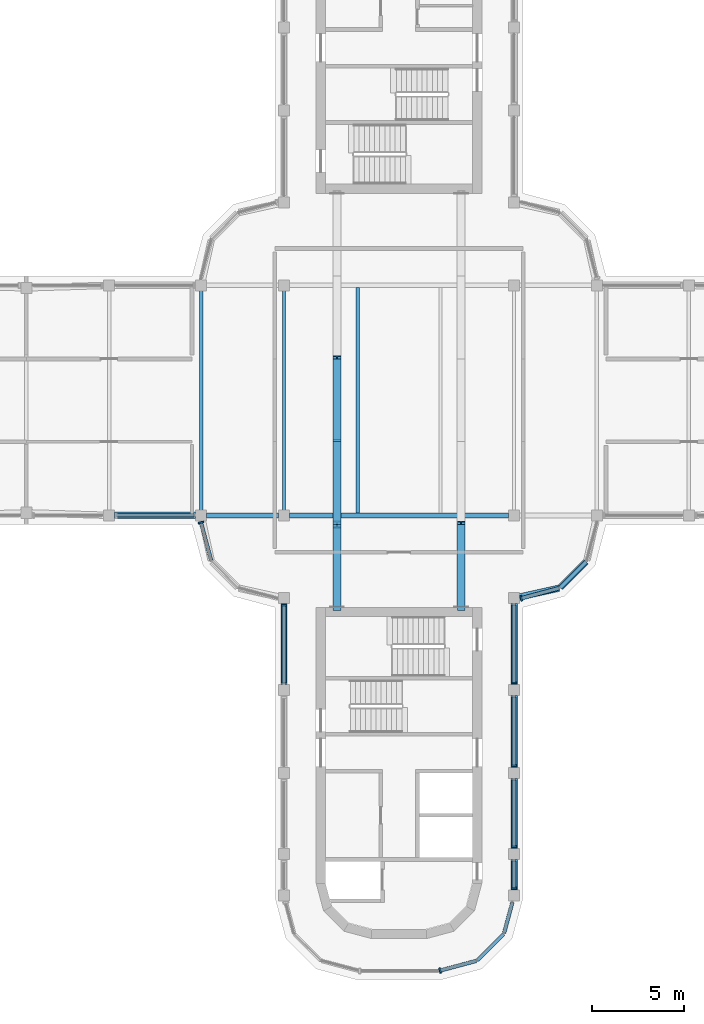
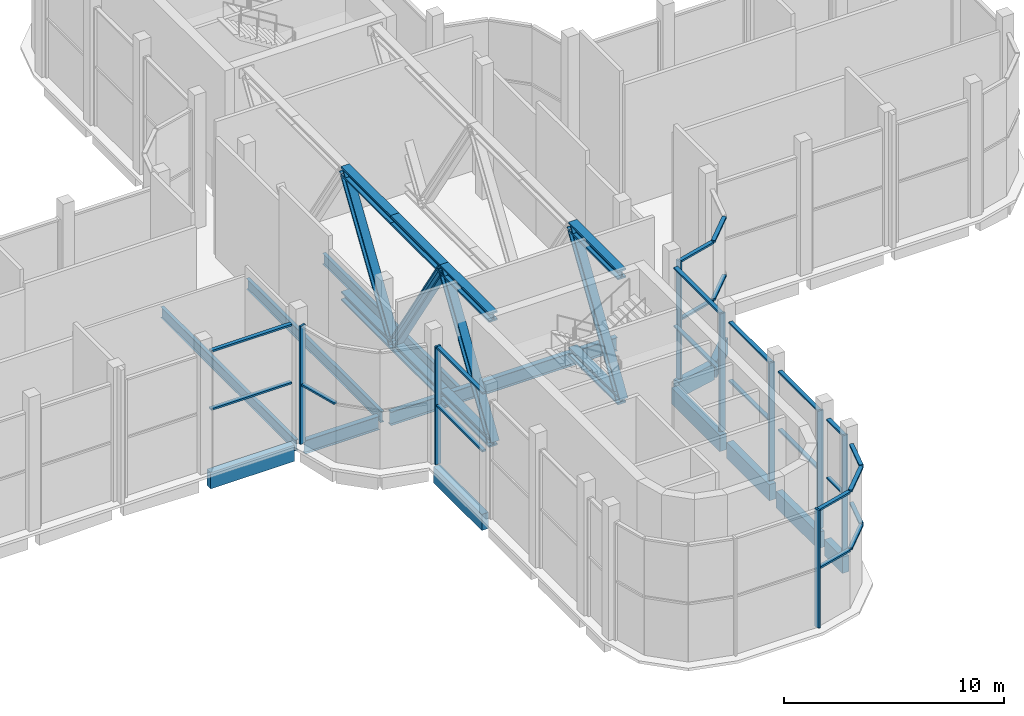
# One storey, part 3 of 15: 43 members, 13 beams, 9 elements without a shape of their own.
"""IFC4 building model written with IfcOpenShell, lengths in metres."""

from ifc_helpers import new_model, si_unit, direction, frame, origin, origin_2d, place, context, subcontext, project, spatial, polyline, rectangle, i_section, outline, extrude, source, transform, mapped, material, material_profile, profile_set, type_object, element, aggregate, save


model = new_model("IFC4")

# Units and contexts
model_context = context("Model", 3, precision=1e-05, world=origin(), true_north=direction((0.0, 1.0)))
body_context = subcontext(model_context, "Body", "Model", "MODEL_VIEW")
ifc_project = project(units=[si_unit("LENGTHUNIT", "METRE"), si_unit("AREAUNIT", "SQUARE_METRE"), si_unit("VOLUMEUNIT", "CUBIC_METRE"), si_unit("PLANEANGLEUNIT", "RADIAN"), si_unit("MASSUNIT", "GRAM", prefix="KILO")], contexts=[model_context])

# Site, building, storey
site_placement = place(None, origin())
site = spatial("IfcSite", under=ifc_project, at=site_placement, CompositionType="ELEMENT")
building_placement = place(site_placement, origin())
building = spatial("IfcBuilding", under=site, at=building_placement, Name="Zarbagh Exchange Tower", CompositionType="ELEMENT")
storey_placement = place(building_placement, frame((0.0, 0.0, 284.0)))
storey = spatial("IfcBuildingStorey", under=building, at=storey_placement, Name="L70", CompositionType="ELEMENT", Elevation=284.0)

# Beams
ifc_material_1 = material(Name="Steel ASTM A992 Gr 50", Category="steel")
ifc_material_profile_1 = material_profile(ifc_material_1, i_section(OverallWidth=0.1787109375, OverallDepth=0.60205078125, WebThickness=0.010986328125, FlangeThickness=0.014892578125, at=origin_2d()), Name="W24X62")
ifc_profile_set_1 = profile_set([ifc_material_profile_1], Name="Steel ASTM A992 Gr 50")
beam_type_1 = type_object("IfcBeamType", Name="Floor beam W24X62", PredefinedType="BEAM", material=ifc_profile_set_1)
for number, where, z_axis, x_axis, name in (
    (1, (-10.75, -6.117919921875, -0.450927734375), (0.0, 1.0, 0.0), (-1.0, 0.0, 0.0), "Steel floor beam"),
    (2, (-6.25, -6.117919921875, -0.450927734375), (0.0, 1.0, 0.0), (-1.0, 0.0, 0.0), "Steel floor beam"),
    (3, (-2.25, -6.117919921875, -0.450927734375), (0.0, 1.0, 0.0), (-1.0, 0.0, 0.0), "Steel floor beam"),
):
    element("IfcBeam", number, at=place(storey_placement, frame(where, z_axis=z_axis, x_axis=x_axis)), inside=storey, type_object=beam_type_1, Name=name, PredefinedType="BEAM", context=body_context, shape_type="SweptSolid", body=[
        extrude(i_section(OverallWidth=0.1787109375, OverallDepth=0.60205078125, WebThickness=0.010986328125, FlangeThickness=0.014892578125, at=origin_2d()), origin(), (0.0, 0.0, 1.0), 12.23583984375),
    ])
ifc_material_profile_2 = material_profile(ifc_material_1, i_section(OverallWidth=0.26416015625, OverallDepth=0.749267578125, WebThickness=0.011962890625, FlangeThickness=0.015380859375, at=origin_2d()), Name="W30X90")
ifc_profile_set_2 = profile_set([ifc_material_profile_2], Name="Steel ASTM A992 Gr 50")
beam_type_2 = type_object("IfcBeamType", Name="Floor girder W30X90", PredefinedType="BEAM", material=ifc_profile_set_2)
beam_1_placement = place(storey_placement, frame((-10.449951171875, -6.25, -0.524658203125), z_axis=(1.0, 0.0, 0.0), x_axis=(0.0, 1.0, 0.0)))
element("IfcBeam", 4, at=beam_1_placement, inside=storey, type_object=beam_type_2, Name="Steel girder", PredefinedType="BEAM", context=body_context, shape_type="SweptSolid", body=[
    extrude(i_section(OverallWidth=0.26416015625, OverallDepth=0.749267578125, WebThickness=0.011962890625, FlangeThickness=0.015380859375, at=origin_2d()), origin(), (0.0, 0.0, 1.0), 3.89990234375),
])
beam_2_placement = place(storey_placement, frame((-5.949951171875, -6.25, -0.524658203125), z_axis=(1.0, 0.0, 0.0), x_axis=(0.0, 1.0, 0.0)))
element("IfcBeam", 5, at=beam_2_placement, inside=storey, type_object=beam_type_2, Name="Steel girder", PredefinedType="BEAM", context=body_context, shape_type="SweptSolid", body=[
    extrude(i_section(OverallWidth=0.26416015625, OverallDepth=0.749267578125, WebThickness=0.011962890625, FlangeThickness=0.015380859375, at=origin_2d()), origin(), (0.0, 0.0, 1.0), 11.89990234375),
])
ifc_material_2 = material(Name="Concrete C40/50", Category="concrete")
ifc_material_profile_3 = material_profile(ifc_material_2, rectangle(XDim=0.35009765625, YDim=0.89990234375, at=origin_2d()), Name="RC spandrel beam 350 x 900 C40/50")
ifc_profile_set_3 = profile_set([ifc_material_profile_3], Name="Concrete C40/50")
beam_type_3 = type_object("IfcBeamType", Name="RC spandrel beam 350 x 900 C40/50", PredefinedType="SPANDREL", material=ifc_profile_set_3)
for number, where, z_axis, x_axis, name in (
    (6, (-6.25, -15.449951171875, -0.60009765625), (0.0, 1.0, 0.0), (-1.0, 0.0, 0.0), "RC spandrel beam"),
    (7, (-11.050048828125, -6.25, -0.60009765625), (-1.0, 0.0, 0.0), (0.0, -1.0, 0.0), "RC spandrel beam"),
):
    element("IfcBeam", number, at=place(storey_placement, frame(where, z_axis=z_axis, x_axis=x_axis)), inside=storey, type_object=beam_type_3, Name=name, PredefinedType="SPANDREL", context=body_context, shape_type="SweptSolid", body=[
        extrude(rectangle(XDim=0.35009765625, YDim=0.89990234375, at=origin_2d()), origin(), (0.0, 0.0, 1.0), 4.39990234375),
    ])
beam_3_placement = place(storey_placement, frame((10.16259765625, -8.77734375, -0.60009765625), z_axis=(-0.707106781187, -0.707106781187, 0.0), x_axis=(0.707106781187, -0.707106781187, 0.0)))
element("IfcBeam", 8, at=beam_3_placement, inside=storey, type_object=beam_type_3, Name="RC spandrel beam", PredefinedType="SPANDREL", context=body_context, shape_type="SweptSolid", body=[
    extrude(rectangle(XDim=0.35009765625, YDim=0.89990234375, at=origin_2d()), origin(), (0.0, 0.0, 1.0), 1.958984375),
])
beam_4_placement = place(storey_placement, frame((8.69140625, -10.2099609375, -0.60009765625), z_axis=(-0.976387662047, -0.216025770228, 0.0), x_axis=(0.216025770228, -0.976387662047, 0.0)))
element("IfcBeam", 9, at=beam_4_placement, inside=storey, type_object=beam_type_3, Name="RC spandrel beam", PredefinedType="SPANDREL", context=body_context, shape_type="SweptSolid", body=[
    extrude(rectangle(XDim=0.35009765625, YDim=0.89990234375, at=origin_2d()), origin(), (0.0, 0.0, 1.0), 2.200439453125),
])
beam_5_placement = place(storey_placement, frame((6.25, -11.050048828125, -0.60009765625), z_axis=(0.0, -1.0, 0.0), x_axis=(1.0, 0.0, 0.0)))
element("IfcBeam", 10, at=beam_5_placement, inside=storey, type_object=beam_type_3, Name="RC spandrel beam", PredefinedType="SPANDREL", context=body_context, shape_type="SweptSolid", body=[
    extrude(rectangle(XDim=0.35009765625, YDim=0.89990234375, at=origin_2d()), origin(), (0.0, 0.0, 1.0), 4.39990234375),
])
beam_6_placement = place(storey_placement, frame((6.25, -16.050048828125, -0.60009765625), z_axis=(0.0, -1.0, 0.0), x_axis=(1.0, 0.0, 0.0)))
element("IfcBeam", 11, at=beam_6_placement, inside=storey, type_object=beam_type_3, Name="RC spandrel beam", PredefinedType="SPANDREL", context=body_context, shape_type="SweptSolid", body=[
    extrude(rectangle(XDim=0.35009765625, YDim=0.89990234375, at=origin_2d()), origin(), (0.0, 0.0, 1.0), 3.89990234375),
])
beam_7_placement = place(storey_placement, frame((6.25, -20.550048828125, -0.60009765625), z_axis=(0.0, -1.0, 0.0), x_axis=(1.0, 0.0, 0.0)))
element("IfcBeam", 12, at=beam_7_placement, inside=storey, type_object=beam_type_3, Name="RC spandrel beam", PredefinedType="SPANDREL", context=body_context, shape_type="SweptSolid", body=[
    extrude(rectangle(XDim=0.35009765625, YDim=0.89990234375, at=origin_2d()), origin(), (0.0, 0.0, 1.0), 3.800048828125),
])
beam_8_placement = place(storey_placement, frame((6.25, -24.949951171875, -0.60009765625), z_axis=(0.0, -1.0, 0.0), x_axis=(1.0, 0.0, 0.0)))
element("IfcBeam", 13, at=beam_8_placement, inside=storey, type_object=beam_type_3, Name="RC spandrel beam", PredefinedType="SPANDREL", context=body_context, shape_type="SweptSolid", body=[
    extrude(rectangle(XDim=0.35009765625, YDim=0.89990234375, at=origin_2d()), origin(), (0.0, 0.0, 1.0), 1.650146484375),
])

# Members
ifc_material_profile_4 = material_profile(ifc_material_1, i_section(OverallWidth=0.43701171875, OverallDepth=0.51318359375, WebThickness=0.060546875, FlangeThickness=0.096923828125, at=origin_2d()), Name="W14X550")
ifc_profile_set_4 = profile_set([ifc_material_profile_4], Name="Steel ASTM A992 Gr 50")
member_type_1 = type_object("IfcMemberType", Name="Tuned mass damper support truss chord W14X550", PredefinedType="CHORD", material=ifc_profile_set_4)
for number, where, z_axis, x_axis, name in (
    (14, (-3.375, -11.219970703125, 0.256591796875), (0.0, 1.0, 0.0), (-1.0, 0.0, 0.0), "Tuned mass damper support truss chord"),
    (15, (-3.375, -11.219970703125, 7.193603515625), (0.0, 1.0, 0.0), (-1.0, 0.0, 0.0), "Tuned mass damper support truss chord"),
):
    element("IfcMember", number, at=place(storey_placement, frame(where, z_axis=z_axis, x_axis=x_axis)), inside=storey, type_object=member_type_1, Name=name, PredefinedType="CHORD", context=body_context, shape_type="SweptSolid", body=[
        extrude(i_section(OverallWidth=0.43701171875, OverallDepth=0.51318359375, WebThickness=0.060546875, FlangeThickness=0.096923828125, at=origin_2d()), origin(), (0.0, 0.0, 1.0), 4.469970703125),
    ])
for number, where, z_axis, x_axis, name in (
    (16, (-3.375, -6.75, 0.256591796875), (0.0, 1.0, 0.0), (-1.0, 0.0, 0.0), "Tuned mass damper support truss chord"),
    (17, (-3.375, -6.75, 7.193603515625), (0.0, 1.0, 0.0), (-1.0, 0.0, 0.0), "Tuned mass damper support truss chord"),
    (18, (-3.375, -2.25, 0.256591796875), (0.0, 1.0, 0.0), (-1.0, 0.0, 0.0), "Tuned mass damper support truss chord"),
    (19, (-3.375, -2.25, 7.193603515625), (0.0, 1.0, 0.0), (-1.0, 0.0, 0.0), "Tuned mass damper support truss chord"),
):
    element("IfcMember", number, at=place(storey_placement, frame(where, z_axis=z_axis, x_axis=x_axis)), inside=storey, type_object=member_type_1, Name=name, PredefinedType="CHORD", context=body_context, shape_type="SweptSolid", body=[
        extrude(i_section(OverallWidth=0.43701171875, OverallDepth=0.51318359375, WebThickness=0.060546875, FlangeThickness=0.096923828125, at=origin_2d()), origin(), (0.0, 0.0, 1.0), 4.5),
    ])
for number, where, z_axis, x_axis, name in (
    (20, (3.375, -11.219970703125, 0.256591796875), (0.0, 1.0, 0.0), (-1.0, 0.0, 0.0), "Tuned mass damper support truss chord"),
    (21, (3.375, -11.219970703125, 7.193603515625), (0.0, 1.0, 0.0), (-1.0, 0.0, 0.0), "Tuned mass damper support truss chord"),
):
    element("IfcMember", number, at=place(storey_placement, frame(where, z_axis=z_axis, x_axis=x_axis)), inside=storey, type_object=member_type_1, Name=name, PredefinedType="CHORD", context=body_context, shape_type="SweptSolid", body=[
        extrude(i_section(OverallWidth=0.43701171875, OverallDepth=0.51318359375, WebThickness=0.060546875, FlangeThickness=0.096923828125, at=origin_2d()), origin(), (0.0, 0.0, 1.0), 4.469970703125),
    ])
ifc_material_profile_5 = material_profile(ifc_material_1, i_section(OverallWidth=0.421630859375, OverallDepth=0.46484375, WebThickness=0.044921875, FlangeThickness=0.072509765625, at=origin_2d()), Name="W14X398")
ifc_profile_set_5 = profile_set([ifc_material_profile_5], Name="Steel ASTM A992 Gr 50")
member_type_2 = type_object("IfcMemberType", Name="Tuned mass damper support truss diagonal W14X398", PredefinedType="BRACE", material=ifc_profile_set_5)
member_1_placement = place(storey_placement, frame((-3.375, -11.219970703125, 0.256591796875), z_axis=(0.0, 0.541654417489, 0.840601268149), x_axis=(-1.0, 0.0, 0.0)))
element("IfcMember", 22, at=member_1_placement, inside=storey, type_object=member_type_2, Name="Tuned mass damper support truss diagonal", PredefinedType="BRACE", context=body_context, shape_type="SweptSolid", body=[
    extrude(i_section(OverallWidth=0.421630859375, OverallDepth=0.46484375, WebThickness=0.044921875, FlangeThickness=0.072509765625, at=origin_2d()), origin(), (0.0, 0.0, 1.0), 8.25244140625),
])
for number, where, z_axis, x_axis, name in (
    (23, (-3.375, -2.25, 0.256591796875), (0.0, -0.544218065064, 0.838943798867), (1.0, 0.0, 0.0), "Tuned mass damper support truss diagonal"),
    (24, (-3.375, -2.25, 0.256591796875), (0.0, 0.544218065064, 0.838943798867), (-1.0, 0.0, 0.0), "Tuned mass damper support truss diagonal"),
):
    element("IfcMember", number, at=place(storey_placement, frame(where, z_axis=z_axis, x_axis=x_axis)), inside=storey, type_object=member_type_2, Name=name, PredefinedType="BRACE", context=body_context, shape_type="SweptSolid", body=[
        extrude(i_section(OverallWidth=0.421630859375, OverallDepth=0.46484375, WebThickness=0.044921875, FlangeThickness=0.072509765625, at=origin_2d()), origin(), (0.0, 0.0, 1.0), 8.268798828125),
    ])
member_2_placement = place(storey_placement, frame((3.375, -11.219970703125, 0.256591796875), z_axis=(0.0, 0.541654417489, 0.840601268149), x_axis=(-1.0, 0.0, 0.0)))
element("IfcMember", 25, at=member_2_placement, inside=storey, type_object=member_type_2, Name="Tuned mass damper support truss diagonal", PredefinedType="BRACE", context=body_context, shape_type="SweptSolid", body=[
    extrude(i_section(OverallWidth=0.421630859375, OverallDepth=0.46484375, WebThickness=0.044921875, FlangeThickness=0.072509765625, at=origin_2d()), origin(), (0.0, 0.0, 1.0), 8.25244140625),
])

# Curtain wall, member
ifc_material_3 = material(Name="Anodised aluminium frame and glazing", Category="aluminium")
curtain_wall_type = type_object("IfcCurtainWallType", Name="CWE Damper-floor glazed wall", PredefinedType="NOTDEFINED", material=ifc_material_3)
curtain_wall_1_placement = place(storey_placement, origin())
curtain_wall_1 = element("IfcCurtainWall", 26, at=curtain_wall_1_placement, inside=storey, type_object=curtain_wall_type, Name="CWE01 curtain wall", PredefinedType="NOTDEFINED")
ifc_material_4 = material(Name="Anodised aluminium frame", Category="aluminium")
member_type_3 = type_object("IfcMemberType", Name="MUE Mullion, anodised aluminium frame", PredefinedType="MULLION", material=ifc_material_4)
shared_shape_1 = source(origin(), body_context, "Body", "SweptSolid", [
    extrude(outline(polyline([(0.0, -0.14990234375), (0.10009765625, -0.14990234375), (0.10009765625, 0.14990234375), (0.0, 0.14990234375), (0.0, -0.14990234375)])), origin(), (0.0, 0.0, 1.0), 6.550048828125),
])
placement = place(storey_placement, origin())
member_3 = element("IfcMember", 27, at=placement, type_object=member_type_3, Name="CWE01 mullion 1.1", PredefinedType="MULLION", context=body_context, shape_type="MappedRepresentation", body=[
    mapped(shared_shape_1, transform((2.18408203125, -31.0, 0.0), x_axis=(0.965924289636, 0.258824779902, 0.0), y_axis=(-0.258824779902, 0.965924289636, 0.0), z_axis=(0.0, 0.0, 1.0))),
])

# Curtain wall, members
curtain_wall_2_placement = place(storey_placement, origin())
curtain_wall_2 = element("IfcCurtainWall", 28, at=curtain_wall_2_placement, inside=storey, type_object=curtain_wall_type, Name="CWE04 curtain wall", PredefinedType="NOTDEFINED")
member_4 = element("IfcMember", 29, at=placement, type_object=member_type_3, Name="CWE04 mullion 1.1", PredefinedType="MULLION", context=body_context, shape_type="MappedRepresentation", body=[
    mapped(shared_shape_1, transform((6.25, -26.56005859375, 0.0), x_axis=(0.0, 1.0, 0.0), y_axis=(-1.0, 0.0, 0.0), z_axis=(0.0, 0.0, 1.0))),
])
member_5 = element("IfcMember", 30, at=placement, type_object=member_type_3, Name="CWE04 mullion 2.1", PredefinedType="MULLION", context=body_context, shape_type="MappedRepresentation", body=[
    mapped(shared_shape_1, transform((6.25, -24.31005859375, 0.0), x_axis=(0.0, 1.0, 0.0), y_axis=(-1.0, 0.0, 0.0), z_axis=(0.0, 0.0, 1.0))),
])
member_6 = element("IfcMember", 31, at=placement, type_object=member_type_3, Name="CWE04 mullion 3.1", PredefinedType="MULLION", context=body_context, shape_type="MappedRepresentation", body=[
    mapped(shared_shape_1, transform((6.25, -19.909912109375, 0.0), x_axis=(0.0, 1.0, 0.0), y_axis=(-1.0, 0.0, 0.0), z_axis=(0.0, 0.0, 1.0))),
])
member_7 = element("IfcMember", 32, at=placement, type_object=member_type_3, Name="CWE04 mullion 4.1", PredefinedType="MULLION", context=body_context, shape_type="MappedRepresentation", body=[
    mapped(shared_shape_1, transform((6.25, -15.409912109375, 0.0), x_axis=(0.0, 1.0, 0.0), y_axis=(-1.0, 0.0, 0.0), z_axis=(0.0, 0.0, 1.0))),
])

# Curtain wall, member
curtain_wall_3_placement = place(storey_placement, origin())
curtain_wall_3 = element("IfcCurtainWall", 33, at=curtain_wall_3_placement, inside=storey, type_object=curtain_wall_type, Name="CWE05 curtain wall", PredefinedType="NOTDEFINED")
member_8 = element("IfcMember", 34, at=placement, type_object=member_type_3, Name="CWE05 mullion 1.1", PredefinedType="MULLION", context=body_context, shape_type="MappedRepresentation", body=[
    mapped(shared_shape_1, transform((6.590087890625, -10.775146484375, 0.0), x_axis=(0.965924289636, 0.258824779902, 0.0), y_axis=(-0.258824779902, 0.965924289636, 0.0), z_axis=(0.0, 0.0, 1.0))),
])

curtain_wall_4_placement = place(storey_placement, origin())
curtain_wall_4 = element("IfcCurtainWall", 35, at=curtain_wall_4_placement, inside=storey, type_object=curtain_wall_type, Name="CWE40 curtain wall", PredefinedType="NOTDEFINED")
member_9 = element("IfcMember", 36, at=placement, type_object=member_type_3, Name="CWE40 mullion 1.1", PredefinedType="MULLION", context=body_context, shape_type="MappedRepresentation", body=[
    mapped(shared_shape_1, transform((-10.775146484375, -6.590087890625, 0.0), x_axis=(0.258824779902, -0.965924289636, 0.0), y_axis=(0.965924289636, 0.258824779902, 0.0), z_axis=(0.0, 0.0, 1.0))),
])

curtain_wall_5_placement = place(storey_placement, origin())
curtain_wall_5 = element("IfcCurtainWall", 37, at=curtain_wall_5_placement, inside=storey, type_object=curtain_wall_type, Name="CWE43 curtain wall", PredefinedType="NOTDEFINED")
member_10 = element("IfcMember", 38, at=placement, type_object=member_type_3, Name="CWE43 mullion 1.1", PredefinedType="MULLION", context=body_context, shape_type="MappedRepresentation", body=[
    mapped(shared_shape_1, transform((-6.25, -11.090087890625, 0.0), x_axis=(0.0, -1.0, 0.0), y_axis=(1.0, 0.0, 0.0), z_axis=(0.0, 0.0, 1.0))),
])

# Member
member_type_4 = type_object("IfcMemberType", Name="TRE Transom, anodised aluminium frame", PredefinedType="USERDEFINED", material=ifc_material_4)
shared_shape_2 = source(origin(), body_context, "Body", "SweptSolid", [
    extrude(outline(polyline([(-0.10009765625, -0.10009765625), (0.0, -0.10009765625), (0.0, 0.10009765625), (-0.10009765625, 0.10009765625), (-0.10009765625, -0.10009765625)])), origin(), (0.0, 0.0, 1.0), 2.049560546875),
])
member_11 = element("IfcMember", 39, at=placement, type_object=member_type_4, Name="CWE01 transom 1.1", ObjectType="TRANSOM", PredefinedType="USERDEFINED", context=body_context, shape_type="MappedRepresentation", body=[
    mapped(shared_shape_2, transform((2.222900390625, -30.98974609375, 6.550048828125), x_axis=(0.0, 0.0, 1.0), y_axis=(0.258824779902, -0.965924289636, 0.0), z_axis=(0.965924289636, 0.258824779902, 0.0))),
])

shared_shape_3 = source(origin(), body_context, "Body", "SweptSolid", [
    extrude(outline(polyline([(-0.050048828125, -0.10009765625), (0.050048828125, -0.10009765625), (0.050048828125, 0.10009765625), (-0.050048828125, 0.10009765625), (-0.050048828125, -0.10009765625)])), origin(), (0.0, 0.0, 1.0), 2.049560546875),
])
member_12 = element("IfcMember", 40, at=placement, type_object=member_type_4, Name="CWE01 mid transom 1", ObjectType="TRANSOM", PredefinedType="USERDEFINED", context=body_context, shape_type="MappedRepresentation", body=[
    mapped(shared_shape_3, transform((2.222900390625, -30.98974609375, 3.27490234375), x_axis=(0.0, 0.0, 1.0), y_axis=(0.258824779902, -0.965924289636, 0.0), z_axis=(0.965924289636, 0.258824779902, 0.0))),
])

aggregate(curtain_wall_1, [member_3, member_11, member_12])

# Curtain wall, member
curtain_wall_6_placement = place(storey_placement, origin())
curtain_wall_6 = element("IfcCurtainWall", 41, at=curtain_wall_6_placement, inside=storey, type_object=curtain_wall_type, Name="CWE02 curtain wall", PredefinedType="NOTDEFINED")
shared_shape_4 = source(origin(), body_context, "Body", "SweptSolid", [
    extrude(outline(polyline([(-0.10009765625, -0.10009765625), (0.0, -0.10009765625), (0.0, 0.10009765625), (-0.10009765625, 0.10009765625), (-0.10009765625, -0.10009765625)])), origin(), (0.0, 0.0, 1.0), 1.9814453125),
])
member_13 = element("IfcMember", 42, at=placement, type_object=member_type_4, Name="CWE02 transom 1.1", ObjectType="TRANSOM", PredefinedType="USERDEFINED", context=body_context, shape_type="MappedRepresentation", body=[
    mapped(shared_shape_4, transform((4.26953125, -30.42041015625, 6.550048828125), x_axis=(0.0, 0.0, 1.0), y_axis=(0.707106781187, -0.707106781187, 0.0), z_axis=(0.707106781187, 0.707106781187, 0.0))),
])

curtain_wall_7_placement = place(storey_placement, origin())
curtain_wall_7 = element("IfcCurtainWall", 43, at=curtain_wall_7_placement, inside=storey, type_object=curtain_wall_type, Name="CWE06 curtain wall", PredefinedType="NOTDEFINED")
member_14 = element("IfcMember", 44, at=placement, type_object=member_type_4, Name="CWE06 transom 1.1", ObjectType="TRANSOM", PredefinedType="USERDEFINED", context=body_context, shape_type="MappedRepresentation", body=[
    mapped(shared_shape_4, transform((8.76953125, -10.17041015625, 6.550048828125), x_axis=(0.0, 0.0, 1.0), y_axis=(0.707106781187, -0.707106781187, 0.0), z_axis=(0.707106781187, 0.707106781187, 0.0))),
])

# Member
shared_shape_5 = source(origin(), body_context, "Body", "SweptSolid", [
    extrude(outline(polyline([(-0.050048828125, -0.10009765625), (0.050048828125, -0.10009765625), (0.050048828125, 0.10009765625), (-0.050048828125, 0.10009765625), (-0.050048828125, -0.10009765625)])), origin(), (0.0, 0.0, 1.0), 1.9814453125),
])
member_15 = element("IfcMember", 45, at=placement, type_object=member_type_4, Name="CWE02 mid transom 1", ObjectType="TRANSOM", PredefinedType="USERDEFINED", context=body_context, shape_type="MappedRepresentation", body=[
    mapped(shared_shape_5, transform((4.26953125, -30.42041015625, 3.27490234375), x_axis=(0.0, 0.0, 1.0), y_axis=(0.707106781187, -0.707106781187, 0.0), z_axis=(0.707106781187, 0.707106781187, 0.0))),
])

aggregate(curtain_wall_6, [member_13, member_15])

member_16 = element("IfcMember", 46, at=placement, type_object=member_type_4, Name="CWE06 mid transom 1", ObjectType="TRANSOM", PredefinedType="USERDEFINED", context=body_context, shape_type="MappedRepresentation", body=[
    mapped(shared_shape_5, transform((8.76953125, -10.17041015625, 3.27490234375), x_axis=(0.0, 0.0, 1.0), y_axis=(0.707106781187, -0.707106781187, 0.0), z_axis=(0.707106781187, 0.707106781187, 0.0))),
])

aggregate(curtain_wall_7, [member_14, member_16])

# Curtain wall, members
curtain_wall_8_placement = place(storey_placement, origin())
curtain_wall_8 = element("IfcCurtainWall", 47, at=curtain_wall_8_placement, inside=storey, type_object=curtain_wall_type, Name="CWE03 curtain wall", PredefinedType="NOTDEFINED")
shared_shape_6 = source(origin(), body_context, "Body", "SweptSolid", [
    extrude(outline(polyline([(-0.10009765625, -0.10009765625), (0.0, -0.10009765625), (0.0, 0.10009765625), (-0.10009765625, 0.10009765625), (-0.10009765625, -0.10009765625)])), origin(), (0.0, 0.0, 1.0), 1.73291015625),
])
member_17 = element("IfcMember", 48, at=placement, type_object=member_type_4, Name="CWE03 transom 1.1", ObjectType="TRANSOM", PredefinedType="USERDEFINED", context=body_context, shape_type="MappedRepresentation", body=[
    mapped(shared_shape_6, transform((5.709228515625, -28.95263671875, 6.550048828125), x_axis=(0.0, 0.0, 1.0), y_axis=(0.965924289636, -0.258824779902, 0.0), z_axis=(0.258824779902, 0.965924289636, 0.0))),
])
shared_shape_7 = source(origin(), body_context, "Body", "SweptSolid", [
    extrude(outline(polyline([(-0.050048828125, -0.10009765625), (0.050048828125, -0.10009765625), (0.050048828125, 0.10009765625), (-0.050048828125, 0.10009765625), (-0.050048828125, -0.10009765625)])), origin(), (0.0, 0.0, 1.0), 1.73291015625),
])
member_18 = element("IfcMember", 49, at=placement, type_object=member_type_4, Name="CWE03 mid transom 1", ObjectType="TRANSOM", PredefinedType="USERDEFINED", context=body_context, shape_type="MappedRepresentation", body=[
    mapped(shared_shape_7, transform((5.709228515625, -28.95263671875, 3.27490234375), x_axis=(0.0, 0.0, 1.0), y_axis=(0.965924289636, -0.258824779902, 0.0), z_axis=(0.258824779902, 0.965924289636, 0.0))),
])
aggregate(curtain_wall_8, [member_17, member_18])

# Member
shared_shape_8 = source(origin(), body_context, "Body", "SweptSolid", [
    extrude(outline(polyline([(-0.10009765625, -0.10009765625), (0.0, -0.10009765625), (0.0, 0.10009765625), (-0.10009765625, 0.10009765625), (-0.10009765625, -0.10009765625)])), origin(), (0.0, 0.0, 1.0), 1.489990234375),
])
member_19 = element("IfcMember", 50, at=placement, type_object=member_type_4, Name="CWE04 transom 1.1", ObjectType="TRANSOM", PredefinedType="USERDEFINED", context=body_context, shape_type="MappedRepresentation", body=[
    mapped(shared_shape_8, transform((6.25, -26.52001953125, 6.550048828125), x_axis=(0.0, 0.0, 1.0), y_axis=(1.0, 0.0, 0.0), z_axis=(0.0, 1.0, 0.0))),
])

shared_shape_9 = source(origin(), body_context, "Body", "SweptSolid", [
    extrude(outline(polyline([(-0.050048828125, -0.10009765625), (0.050048828125, -0.10009765625), (0.050048828125, 0.10009765625), (-0.050048828125, 0.10009765625), (-0.050048828125, -0.10009765625)])), origin(), (0.0, 0.0, 1.0), 1.489990234375),
])
member_20 = element("IfcMember", 51, at=placement, type_object=member_type_4, Name="CWE04 mid transom 1", ObjectType="TRANSOM", PredefinedType="USERDEFINED", context=body_context, shape_type="MappedRepresentation", body=[
    mapped(shared_shape_9, transform((6.25, -26.52001953125, 3.27490234375), x_axis=(0.0, 0.0, 1.0), y_axis=(1.0, 0.0, 0.0), z_axis=(0.0, 1.0, 0.0))),
])

shared_shape_10 = source(origin(), body_context, "Body", "SweptSolid", [
    extrude(outline(polyline([(-0.10009765625, -0.10009765625), (0.0, -0.10009765625), (0.0, 0.10009765625), (-0.10009765625, 0.10009765625), (-0.10009765625, -0.10009765625)])), origin(), (0.0, 0.0, 1.0), 3.639892578125),
])
member_21 = element("IfcMember", 52, at=placement, type_object=member_type_4, Name="CWE04 transom 2.1", ObjectType="TRANSOM", PredefinedType="USERDEFINED", context=body_context, shape_type="MappedRepresentation", body=[
    mapped(shared_shape_10, transform((6.25, -24.27001953125, 6.550048828125), x_axis=(0.0, 0.0, 1.0), y_axis=(1.0, 0.0, 0.0), z_axis=(0.0, 1.0, 0.0))),
])

shared_shape_11 = source(origin(), body_context, "Body", "SweptSolid", [
    extrude(outline(polyline([(-0.050048828125, -0.10009765625), (0.050048828125, -0.10009765625), (0.050048828125, 0.10009765625), (-0.050048828125, 0.10009765625), (-0.050048828125, -0.10009765625)])), origin(), (0.0, 0.0, 1.0), 3.639892578125),
])
member_22 = element("IfcMember", 53, at=placement, type_object=member_type_4, Name="CWE04 mid transom 2", ObjectType="TRANSOM", PredefinedType="USERDEFINED", context=body_context, shape_type="MappedRepresentation", body=[
    mapped(shared_shape_11, transform((6.25, -24.27001953125, 3.27490234375), x_axis=(0.0, 0.0, 1.0), y_axis=(1.0, 0.0, 0.0), z_axis=(0.0, 1.0, 0.0))),
])

shared_shape_12 = source(origin(), body_context, "Body", "SweptSolid", [
    extrude(outline(polyline([(-0.10009765625, -0.10009765625), (0.0, -0.10009765625), (0.0, 0.10009765625), (-0.10009765625, 0.10009765625), (-0.10009765625, -0.10009765625)])), origin(), (0.0, 0.0, 1.0), 3.739990234375),
])
member_23 = element("IfcMember", 54, at=placement, type_object=member_type_4, Name="CWE04 transom 3.1", ObjectType="TRANSOM", PredefinedType="USERDEFINED", context=body_context, shape_type="MappedRepresentation", body=[
    mapped(shared_shape_12, transform((6.25, -19.869873046875, 6.550048828125), x_axis=(0.0, 0.0, 1.0), y_axis=(1.0, 0.0, 0.0), z_axis=(0.0, 1.0, 0.0))),
])

shared_shape_13 = source(origin(), body_context, "Body", "SweptSolid", [
    extrude(outline(polyline([(-0.050048828125, -0.10009765625), (0.050048828125, -0.10009765625), (0.050048828125, 0.10009765625), (-0.050048828125, 0.10009765625), (-0.050048828125, -0.10009765625)])), origin(), (0.0, 0.0, 1.0), 3.739990234375),
])
member_24 = element("IfcMember", 55, at=placement, type_object=member_type_4, Name="CWE04 mid transom 3", ObjectType="TRANSOM", PredefinedType="USERDEFINED", context=body_context, shape_type="MappedRepresentation", body=[
    mapped(shared_shape_13, transform((6.25, -19.869873046875, 3.27490234375), x_axis=(0.0, 0.0, 1.0), y_axis=(1.0, 0.0, 0.0), z_axis=(0.0, 1.0, 0.0))),
])

shared_shape_14 = source(origin(), body_context, "Body", "SweptSolid", [
    extrude(outline(polyline([(-0.10009765625, -0.10009765625), (0.0, -0.10009765625), (0.0, 0.10009765625), (-0.10009765625, 0.10009765625), (-0.10009765625, -0.10009765625)])), origin(), (0.0, 0.0, 1.0), 4.239990234375),
])
member_25 = element("IfcMember", 56, at=placement, type_object=member_type_4, Name="CWE04 transom 4.1", ObjectType="TRANSOM", PredefinedType="USERDEFINED", context=body_context, shape_type="MappedRepresentation", body=[
    mapped(shared_shape_14, transform((6.25, -15.369873046875, 6.550048828125), x_axis=(0.0, 0.0, 1.0), y_axis=(1.0, 0.0, 0.0), z_axis=(0.0, 1.0, 0.0))),
])

# Curtain wall, member
curtain_wall_9_placement = place(storey_placement, origin())
curtain_wall_9 = element("IfcCurtainWall", 57, at=curtain_wall_9_placement, inside=storey, type_object=curtain_wall_type, Name="CWE39 curtain wall", PredefinedType="NOTDEFINED")
member_26 = element("IfcMember", 58, at=placement, type_object=member_type_4, Name="CWE39 transom 4.1", ObjectType="TRANSOM", PredefinedType="USERDEFINED", context=body_context, shape_type="MappedRepresentation", body=[
    mapped(shared_shape_14, transform((-15.369873046875, -6.25, 6.550048828125), x_axis=(0.0, 0.0, 1.0), y_axis=(0.0, -1.0, 0.0), z_axis=(1.0, 0.0, 0.0))),
])

# Member
member_27 = element("IfcMember", 59, at=placement, type_object=member_type_4, Name="CWE43 transom 1.1", ObjectType="TRANSOM", PredefinedType="USERDEFINED", context=body_context, shape_type="MappedRepresentation", body=[
    mapped(shared_shape_14, transform((-6.25, -11.130126953125, 6.550048828125), x_axis=(0.0, 0.0, 1.0), y_axis=(-1.0, 0.0, 0.0), z_axis=(0.0, -1.0, 0.0))),
])

shared_shape_15 = source(origin(), body_context, "Body", "SweptSolid", [
    extrude(outline(polyline([(-0.050048828125, -0.10009765625), (0.050048828125, -0.10009765625), (0.050048828125, 0.10009765625), (-0.050048828125, 0.10009765625), (-0.050048828125, -0.10009765625)])), origin(), (0.0, 0.0, 1.0), 4.239990234375),
])
member_28 = element("IfcMember", 60, at=placement, type_object=member_type_4, Name="CWE04 mid transom 4", ObjectType="TRANSOM", PredefinedType="USERDEFINED", context=body_context, shape_type="MappedRepresentation", body=[
    mapped(shared_shape_15, transform((6.25, -15.369873046875, 3.27490234375), x_axis=(0.0, 0.0, 1.0), y_axis=(1.0, 0.0, 0.0), z_axis=(0.0, 1.0, 0.0))),
])

aggregate(curtain_wall_2, [member_4, member_19, member_20, member_5, member_21, member_22, member_6, member_23, member_24, member_7, member_25, member_28])

member_29 = element("IfcMember", 61, at=placement, type_object=member_type_4, Name="CWE39 mid transom 4", ObjectType="TRANSOM", PredefinedType="USERDEFINED", context=body_context, shape_type="MappedRepresentation", body=[
    mapped(shared_shape_15, transform((-15.369873046875, -6.25, 3.27490234375), x_axis=(0.0, 0.0, 1.0), y_axis=(0.0, -1.0, 0.0), z_axis=(1.0, 0.0, 0.0))),
])

aggregate(curtain_wall_9, [member_26, member_29])

member_30 = element("IfcMember", 62, at=placement, type_object=member_type_4, Name="CWE43 mid transom 1", ObjectType="TRANSOM", PredefinedType="USERDEFINED", context=body_context, shape_type="MappedRepresentation", body=[
    mapped(shared_shape_15, transform((-6.25, -11.130126953125, 3.27490234375), x_axis=(0.0, 0.0, 1.0), y_axis=(-1.0, 0.0, 0.0), z_axis=(0.0, -1.0, 0.0))),
])

aggregate(curtain_wall_5, [member_10, member_27, member_30])

shared_shape_16 = source(origin(), body_context, "Body", "SweptSolid", [
    extrude(outline(polyline([(-0.10009765625, -0.10009765625), (0.0, -0.10009765625), (0.0, 0.10009765625), (-0.10009765625, 0.10009765625), (-0.10009765625, -0.10009765625)])), origin(), (0.0, 0.0, 1.0), 2.147216796875),
])
member_31 = element("IfcMember", 63, at=placement, type_object=member_type_4, Name="CWE05 transom 1.1", ObjectType="TRANSOM", PredefinedType="USERDEFINED", context=body_context, shape_type="MappedRepresentation", body=[
    mapped(shared_shape_16, transform((6.628662109375, -10.764892578125, 6.550048828125), x_axis=(0.0, 0.0, 1.0), y_axis=(0.258824779902, -0.965924289636, 0.0), z_axis=(0.965924289636, 0.258824779902, 0.0))),
])

shared_shape_17 = source(origin(), body_context, "Body", "SweptSolid", [
    extrude(outline(polyline([(-0.050048828125, -0.10009765625), (0.050048828125, -0.10009765625), (0.050048828125, 0.10009765625), (-0.050048828125, 0.10009765625), (-0.050048828125, -0.10009765625)])), origin(), (0.0, 0.0, 1.0), 2.147216796875),
])
member_32 = element("IfcMember", 64, at=placement, type_object=member_type_4, Name="CWE05 mid transom 1", ObjectType="TRANSOM", PredefinedType="USERDEFINED", context=body_context, shape_type="MappedRepresentation", body=[
    mapped(shared_shape_17, transform((6.628662109375, -10.764892578125, 3.27490234375), x_axis=(0.0, 0.0, 1.0), y_axis=(0.258824779902, -0.965924289636, 0.0), z_axis=(0.965924289636, 0.258824779902, 0.0))),
])

aggregate(curtain_wall_3, [member_8, member_31, member_32])

member_33 = element("IfcMember", 65, at=placement, type_object=member_type_4, Name="CWE40 mid transom 1", ObjectType="TRANSOM", PredefinedType="USERDEFINED", context=body_context, shape_type="MappedRepresentation", body=[
    mapped(shared_shape_17, transform((-10.764892578125, -6.628662109375, 3.27490234375), x_axis=(0.0, 0.0, 1.0), y_axis=(-0.965924289636, -0.258824779902, 0.0), z_axis=(0.258824779902, -0.965924289636, 0.0))),
])

aggregate(curtain_wall_4, [member_9, member_33])

save(model, "model.ifc")
